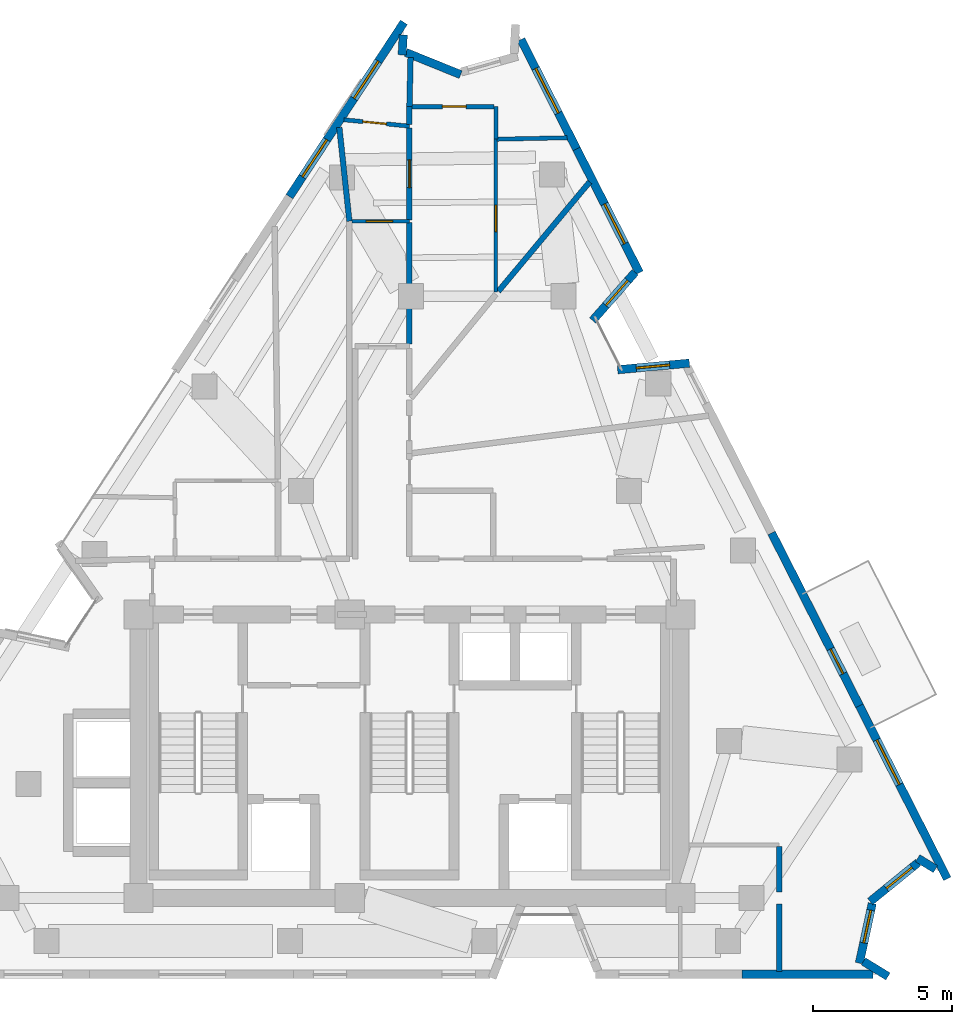
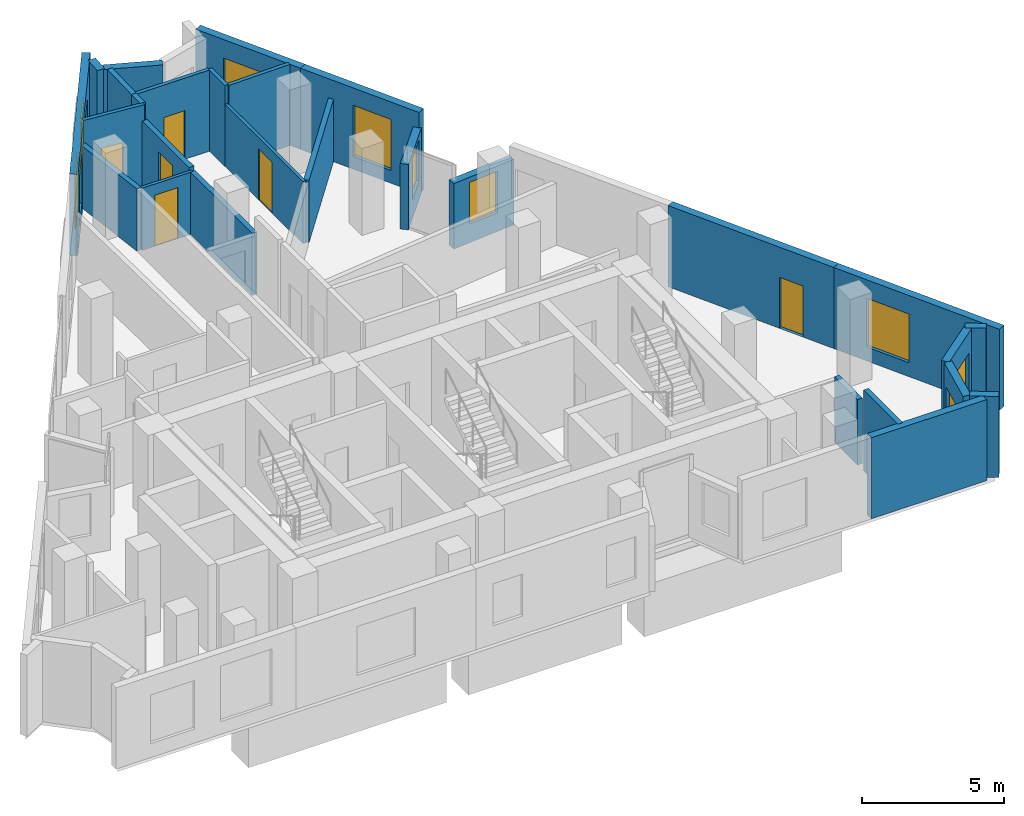
# One storey, part 7 of 10: 28 walls, 9 windows, 6 doors, 15 openings.
"""IFC4 building model written with IfcOpenShell, lengths in metres."""

import ifcopenshell
import ifcopenshell.guid

model = None  # the IFC model being written
_history = None  # IfcOwnerHistory: only IFC2X3 demands one
_inside = {}  # id of a spatial element -> (the spatial element, [elements in it])
_under = {}  # id of a project, library or spatial element -> (it, [spatial elements below it])
_declared = {}  # id of a project -> (the project, [libraries it declares])
_typed = {}  # id of a type object -> (the type object, [elements of that type])
_made_of = {}  # id of a material, layer set ... -> (it, [elements and type objects made of it])


def new_model(schema):
    """Start an empty IFC model of exactly this schema.

    Asked for "IFC4X3", IfcOpenShell would pick the latest addendum, in which some entities
    have other attributes; the version numbers below select the first issue.
    IFC2X3 requires an IfcOwnerHistory on every rooted entity: one is made here for all.
    """
    global model, _history
    if schema == "IFC4X3":
        model = ifcopenshell.file(schema_version=(4, 3, 0, 0))
    else:
        model = ifcopenshell.file(schema=schema)
    _inside.clear()
    _under.clear()
    _declared.clear()
    _typed.clear()
    _made_of.clear()
    _history = None
    if model.schema == "IFC2X3":
        org = make("IfcOrganization", Name="unknown")
        user = make(
            "IfcPersonAndOrganization",
            ThePerson=make("IfcPerson", FamilyName="unknown"),
            TheOrganization=org,
        )
        app = make(
            "IfcApplication",
            ApplicationDeveloper=org,
            Version="unknown",
            ApplicationFullName="unknown",
            ApplicationIdentifier="unknown",
        )
        _history = make(
            "IfcOwnerHistory",
            OwningUser=user,
            OwningApplication=app,
            ChangeAction="ADDED",
            CreationDate=0,
        )
    return model


def make(cls, **values):
    """One entity of the class cls with the attributes given. An attribute that is None is left unset."""
    return model.create_entity(
        cls, **{name: value for name, value in values.items() if value is not None}
    )


def rooted(cls, **values):
    """An entity with a GlobalId (a new one), such as an element, a storey or a relation."""
    return make(cls, GlobalId=ifcopenshell.guid.new(), OwnerHistory=_history, **values)


def si_unit(unit_type, name, prefix=None):
    """IfcSIUnit, for example si_unit("LENGTHUNIT", "METRE", prefix="MILLI")."""
    return make("IfcSIUnit", UnitType=unit_type, Prefix=prefix, Name=name)


def assignment(units):
    """IfcUnitAssignment: the units of a project."""
    return None if units is None else make("IfcUnitAssignment", Units=units)


def point(xyz):
    """IfcCartesianPoint."""
    return None if xyz is None else make("IfcCartesianPoint", Coordinates=xyz)


def direction(xyz):
    """IfcDirection."""
    return None if xyz is None else make("IfcDirection", DirectionRatios=xyz)


def frame(location, z_axis=None, x_axis=None):
    """IfcAxis2Placement3D, a coordinate frame: its origin and axes. An axis left out is left unset."""
    return make(
        "IfcAxis2Placement3D",
        Location=point(location),
        Axis=direction(z_axis),
        RefDirection=direction(x_axis),
    )


def frame_2d(location, x_axis=None):
    """IfcAxis2Placement2D, a coordinate frame in the plane: its origin and x axis."""
    return make(
        "IfcAxis2Placement2D", Location=point(location), RefDirection=direction(x_axis)
    )


def origin():
    """The frame at (0, 0, 0) with its axes left unset."""
    return frame((0.0, 0.0, 0.0))


def place(relative_to, where):
    """IfcLocalPlacement: puts the frame where relative to a parent placement (None: the world)."""
    return make(
        "IfcLocalPlacement", PlacementRelTo=relative_to, RelativePlacement=where
    )


def context(
    kind, dimensions, precision=None, world=None, true_north=None, identifier=None
):
    """IfcGeometricRepresentationContext, for example the 3D "Model" context."""
    return make(
        "IfcGeometricRepresentationContext",
        ContextIdentifier=identifier,
        ContextType=kind,
        CoordinateSpaceDimension=dimensions,
        Precision=precision,
        WorldCoordinateSystem=world,
        TrueNorth=true_north,
    )


def subcontext(parent, identifier, kind, view, scale=None):
    """IfcGeometricRepresentationSubContext, for example "Body" below "Model"."""
    return make(
        "IfcGeometricRepresentationSubContext",
        ContextIdentifier=identifier,
        ContextType=kind,
        ParentContext=parent,
        TargetScale=scale,
        TargetView=view,
    )


def project(units=None, contexts=None):
    """IfcProject with its units and contexts."""
    return rooted(
        "IfcProject",
        Name="project",
        RepresentationContexts=contexts,
        UnitsInContext=assignment(units),
    )


def spatial(cls, under=None, at=None, **own):
    """A site, building, storey or space (cls), placed at a placement, below another one or the project."""
    s = rooted(cls, ObjectPlacement=at, **own)
    if under is not None:
        _under.setdefault(under.id(), (under, []))[1].append(s)
    return s


def profile(cls, at=None, kind="AREA", **sizes):
    """A parametric profile (cls). Its sizes go by their IFC names, for example OverallWidth=200.0."""
    return make(cls, ProfileType=kind, Position=at, **sizes)


def rectangle(**sizes):
    """IfcRectangleProfileDef."""
    return profile("IfcRectangleProfileDef", **sizes)


def extrude(swept, where, along, depth):
    """IfcExtrudedAreaSolid: the profile swept, set in the frame where, extruded along a direction by depth."""
    return make(
        "IfcExtrudedAreaSolid",
        SweptArea=swept,
        Position=where,
        ExtrudedDirection=direction(along),
        Depth=depth,
    )


def shape(context_of_items, identifier, shape_type, items):
    """IfcShapeRepresentation: the items that make up one representation, for example the "Body"."""
    return make(
        "IfcShapeRepresentation",
        ContextOfItems=context_of_items,
        RepresentationIdentifier=identifier,
        RepresentationType=shape_type,
        Items=items,
    )


def material(Name=None, Category=None):
    """IfcMaterial."""
    return make("IfcMaterial", Name=Name, Category=Category)


def layer(
    of_material, thickness, ventilated=None, Name=None, Category=None, Priority=None
):
    """IfcMaterialLayer: one layer of a wall or slab, of a material (None: an air gap)."""
    return make(
        "IfcMaterialLayer",
        Material=of_material,
        LayerThickness=thickness,
        IsVentilated=ventilated,
        Name=Name,
        Category=Category,
        Priority=Priority,
    )


def layer_set(layers, Name=None):
    """IfcMaterialLayerSet."""
    return make("IfcMaterialLayerSet", MaterialLayers=layers, LayerSetName=Name)


def made_of(thing, what):
    """Note that an element or type object is made of a material, layer set ...; save() writes the relation."""
    if what is not None:
        _made_of.setdefault(what.id(), (what, []))[1].append(thing)
    return thing


def type_object(cls, material=None, **own):
    """A type object (cls), such as IfcWallType, which elements share."""
    return made_of(rooted(cls, **own), material)


def element(
    cls,
    number,
    at=None,
    inside=None,
    cuts=None,
    type_object=None,
    material=None,
    context=None,
    identifier="Body",
    shape_type=None,
    held_by="IfcProductDefinitionShape",
    body=None,
    shapes=None,
    **own,
):
    """One element of the class cls, such as IfcWall. Its Tag is "e" and its number.

    at: its placement. inside: the storey or other place that contains it. cuts: it is an
    opening in that element (IfcRelVoidsElement). A single representation is given by context,
    identifier, shape_type and body (its items); several are given by shapes. held_by: the class
    of the entity that holds the representations. save() writes the other relations.
    """
    e = rooted(cls, Tag="e%d" % number, ObjectPlacement=at, **own)
    if body is not None:
        shapes = [shape(context, identifier, shape_type, body)]
    if shapes is not None:
        e.Representation = make(held_by, Representations=shapes)
    if inside is not None:
        _inside.setdefault(inside.id(), (inside, []))[1].append(e)
    if cuts is not None:
        rooted(
            "IfcRelVoidsElement", RelatingBuildingElement=cuts, RelatedOpeningElement=e
        )
    if type_object is not None:
        _typed.setdefault(type_object.id(), (type_object, []))[1].append(e)
    return made_of(e, material)


def fill(opening, filler):
    """IfcRelFillsElement: the door or window that sits in an opening."""
    return rooted(
        "IfcRelFillsElement",
        RelatingOpeningElement=opening,
        RelatedBuildingElement=filler,
    )


def aggregate(whole, parts):
    """IfcRelAggregates: a whole, such as a stair, and the parts it consists of."""
    return rooted("IfcRelAggregates", RelatingObject=whole, RelatedObjects=parts)


def save(model, path):
    """Write the relations noted so far, then the file.

    IfcRelAggregates (storeys below a building ...), IfcRelContainedInSpatialStructure (elements
    in a storey), IfcRelDefinesByType, IfcRelAssociatesMaterial and IfcRelDeclares: one each for
    every whole, place, type object, material and project.
    """
    for whole, parts in _under.values():
        aggregate(whole, parts)
    for where, things in _inside.values():
        rooted(
            "IfcRelContainedInSpatialStructure",
            RelatedElements=things,
            RelatingStructure=where,
        )
    for kind, things in _typed.values():
        rooted("IfcRelDefinesByType", RelatedObjects=things, RelatingType=kind)
    for what, things in _made_of.values():
        rooted("IfcRelAssociatesMaterial", RelatedObjects=things, RelatingMaterial=what)
    for by, libraries in _declared.values():
        rooted("IfcRelDeclares", RelatingContext=by, RelatedDefinitions=libraries)
    model.write(path)


model = new_model("IFC4")

# Units and contexts
model_context = context("Model", 3, precision=1e-05, world=origin(), true_north=direction((0.0, 1.0)))
body_context = subcontext(model_context, "Body", "Model", "MODEL_VIEW")
ifc_project = project(units=[si_unit("LENGTHUNIT", "METRE"), si_unit("AREAUNIT", "SQUARE_METRE"), si_unit("VOLUMEUNIT", "CUBIC_METRE"), si_unit("PLANEANGLEUNIT", "RADIAN"), si_unit("MASSUNIT", "GRAM", prefix="KILO")], contexts=[model_context])

# Site, building, storey
site_placement = place(None, origin())
site = spatial("IfcSite", under=ifc_project, at=site_placement, CompositionType="ELEMENT")
building_placement = place(site_placement, origin())
building = spatial("IfcBuilding", under=site, at=building_placement, Name="Almagre Mirador Tower", CompositionType="ELEMENT")
storey_placement = place(building_placement, frame((0.0, 0.0, 229.5)))
storey = spatial("IfcBuildingStorey", under=building, at=storey_placement, Name="L59", CompositionType="ELEMENT", Elevation=229.5)

# Wall, openings, windows
ifc_material_1 = material(Name="Precast concrete C50/60", Category="concrete")
ifc_layer_1 = layer(ifc_material_1, 0.300048828125)
ifc_layer_set_1 = layer_set([ifc_layer_1], Name="Precast concrete C50/60")
wall_type_1 = type_object("IfcWallType", Name="WAL-EXT-300", PredefinedType="SOLIDWALL", material=ifc_layer_set_1)
wall_1_placement = place(storey_placement, frame((32.98388671875, 29.785400390625, 0.0), z_axis=(0.0, 0.0, 1.0), x_axis=(0.549071408683, 0.835775441232, 0.0)))
wall_1 = element("IfcWall", 1, at=wall_1_placement, inside=storey, type_object=wall_type_1, Name="L59 expressed almagre precast frame wall 04", PredefinedType="SOLIDWALL", context=body_context, shape_type="SweptSolid", body=[
    extrude(rectangle(XDim=7.50390625, YDim=0.300048828125, at=frame_2d((3.751953125, 0.0))), origin(), (0.0, 0.0, 1.0), 3.5),
])
opening_1_placement = place(wall_1_placement, frame((0.85009765625, 0.0, 0.550048828125)))
opening_1 = element("IfcOpeningElement", 2, at=opening_1_placement, cuts=wall_1, Name="Opening WN-06", PredefinedType="OPENING", context=body_context, shape_type="SweptSolid", body=[
    extrude(rectangle(XDim=1.60009765625, YDim=2.199951171875, at=frame_2d((0.800048828125, 1.10009765625))), frame((0.0, 0.159902, 0.0), z_axis=(0.0, -1.0, 0.0), x_axis=(1.0, 0.0, 0.0)), (0.0, 0.0, 1.0), 0.320049),
])
opening_2_placement = place(wall_1_placement, frame((4.22509765625, 0.0, 0.550048828125)))
opening_2 = element("IfcOpeningElement", 3, at=opening_2_placement, cuts=wall_1, Name="Opening WN-06", PredefinedType="OPENING", context=body_context, shape_type="SweptSolid", body=[
    extrude(rectangle(XDim=1.60009765625, YDim=2.199951171875, at=frame_2d((0.800048828125, 1.10009765625))), frame((0.0, 0.159902, 0.0), z_axis=(0.0, -1.0, 0.0), x_axis=(1.0, 0.0, 0.0)), (0.0, 0.0, 1.0), 0.320049),
])
ifc_material_2 = material(Name="Dark solar-control laminated hurricane glass", Category="glass")
window_type_1 = type_object("IfcWindowType", Name="WIN-1600X2200", PartitioningType="DOUBLE_PANEL_VERTICAL", PredefinedType="WINDOW", material=ifc_material_2)
window_1_placement = place(opening_1_placement, origin())
window_1 = element("IfcWindow", 4, at=window_1_placement, inside=storey, type_object=window_type_1, Name="L59 recessed hurricane window L59-RST-H", OverallHeight=2.199951171875, OverallWidth=1.60009765625, PartitioningType="SINGLE_PANEL", PredefinedType="WINDOW", context=body_context, shape_type="SweptSolid", body=[
    extrude(rectangle(XDim=1.60009765625, YDim=2.199951171875, at=frame_2d((0.800048828125, 1.10009765625))), frame((0.0, 0.030029296875, 0.0), z_axis=(0.0, -1.0, 0.0), x_axis=(1.0, 0.0, 0.0)), (0.0, 0.0, 1.0), 0.06005859375),
])
fill(opening_1, window_1)
window_2_placement = place(opening_2_placement, origin())
window_2 = element("IfcWindow", 5, at=window_2_placement, inside=storey, type_object=window_type_1, Name="L59 recessed hurricane window L59-UK-BT", OverallHeight=2.199951171875, OverallWidth=1.60009765625, PartitioningType="SINGLE_PANEL", PredefinedType="WINDOW", context=body_context, shape_type="SweptSolid", body=[
    extrude(rectangle(XDim=1.60009765625, YDim=2.199951171875, at=frame_2d((0.800048828125, 1.10009765625))), frame((0.0, 0.030029296875, 0.0), z_axis=(0.0, -1.0, 0.0), x_axis=(1.0, 0.0, 0.0)), (0.0, 0.0, 1.0), 0.06005859375),
])
fill(opening_2, window_2)

# Walls
wall_2_placement = place(storey_placement, frame((37.07861328125, 35.602783203125, 0.0), z_axis=(0.0, 0.0, 1.0), x_axis=(-0.05623931952, -0.998417317027, 0.0)))
element("IfcWall", 6, at=wall_2_placement, inside=storey, type_object=wall_type_1, Name="L59 expressed almagre precast frame wall 05", PredefinedType="SOLIDWALL", context=body_context, shape_type="SweptSolid", body=[
    extrude(rectangle(XDim=0.720703125, YDim=0.300048828125, at=frame_2d((0.3603515625, 0.0))), origin(), (0.0, 0.0, 1.0), 3.5),
])
wall_3_placement = place(storey_placement, frame((37.171142578125, 34.972412109375, 0.0), z_axis=(0.0, 0.0, 1.0), x_axis=(0.927076098221, -0.37487318937, 0.0)))
element("IfcWall", 7, at=wall_3_placement, inside=storey, type_object=wall_type_1, Name="L59 expressed almagre precast frame wall 06", PredefinedType="SOLIDWALL", context=body_context, shape_type="SweptSolid", body=[
    extrude(rectangle(XDim=2.125732421875, YDim=0.300048828125, at=frame_2d((1.06298828125, 0.0))), origin(), (0.0, 0.0, 1.0), 3.5),
])

# Wall, opening, window
wall_4_placement = place(storey_placement, frame((41.3134765625, 35.437255859375, 0.0), z_axis=(0.0, 0.0, 1.0), x_axis=(0.452845917372, -0.891588792617, 0.0)))
wall_4 = element("IfcWall", 8, at=wall_4_placement, inside=storey, type_object=wall_type_1, Name="L59 expressed almagre precast frame wall 09", PredefinedType="SOLIDWALL", context=body_context, shape_type="SweptSolid", body=[
    extrude(rectangle(XDim=4.414306640625, YDim=0.300048828125, at=frame_2d((2.20703125, 0.0))), origin(), (0.0, 0.0, 1.0), 3.5),
])
opening_3_placement = place(wall_4_placement, frame((1.1650390625, 0.0, 0.60009765625)))
opening_3 = element("IfcOpeningElement", 9, at=opening_3_placement, cuts=wall_4, Name="Opening WN-01", PredefinedType="OPENING", context=body_context, shape_type="SweptSolid", body=[
    extrude(rectangle(XDim=1.800048828125, YDim=2.10009765625, at=frame_2d((0.89990234375, 1.050048828125))), frame((0.0, 0.159902, 0.0), z_axis=(0.0, -1.0, 0.0), x_axis=(1.0, 0.0, 0.0)), (0.0, 0.0, 1.0), 0.320049),
])
ifc_material_3 = material(Name="Dark solar-control laminated hurricane glass", Category="glass")
window_type_2 = type_object("IfcWindowType", Name="WIN-1800X2100", PartitioningType="DOUBLE_PANEL_VERTICAL", PredefinedType="WINDOW", material=ifc_material_3)
window_3_placement = place(opening_3_placement, origin())
window_3 = element("IfcWindow", 10, at=window_3_placement, inside=storey, type_object=window_type_2, Name="L59 recessed hurricane window L59-UL-BT", OverallHeight=2.10009765625, OverallWidth=1.800048828125, PartitioningType="SINGLE_PANEL", PredefinedType="WINDOW", context=body_context, shape_type="SweptSolid", body=[
    extrude(rectangle(XDim=1.800048828125, YDim=2.10009765625, at=frame_2d((0.89990234375, 1.050048828125))), frame((0.0, 0.030029296875, 0.0), z_axis=(0.0, -1.0, 0.0), x_axis=(1.0, 0.0, 0.0)), (0.0, 0.0, 1.0), 0.06005859375),
])
fill(opening_3, window_3)

wall_5_placement = place(storey_placement, frame((43.3125, 31.50146484375, 0.0), z_axis=(0.0, 0.0, 1.0), x_axis=(0.452850052045, -0.891586692567, 0.0)))
wall_5 = element("IfcWall", 11, at=wall_5_placement, inside=storey, type_object=wall_type_1, Name="L59 expressed almagre precast frame wall 10", PredefinedType="SOLIDWALL", context=body_context, shape_type="SweptSolid", body=[
    extrude(rectangle(XDim=4.999267578125, YDim=0.300048828125, at=frame_2d((2.49951171875, 0.0))), origin(), (0.0, 0.0, 1.0), 3.5),
])
opening_4_placement = place(wall_5_placement, frame((2.22509765625, 0.0, 0.550048828125)))
opening_4 = element("IfcOpeningElement", 12, at=opening_4_placement, cuts=wall_5, Name="Opening WN-06", PredefinedType="OPENING", context=body_context, shape_type="SweptSolid", body=[
    extrude(rectangle(XDim=1.60009765625, YDim=2.199951171875, at=frame_2d((0.800048828125, 1.10009765625))), frame((0.0, 0.159902, 0.0), z_axis=(0.0, -1.0, 0.0), x_axis=(1.0, 0.0, 0.0)), (0.0, 0.0, 1.0), 0.320049),
])
window_4_placement = place(opening_4_placement, origin())
window_4 = element("IfcWindow", 13, at=window_4_placement, inside=storey, type_object=window_type_1, Name="L59 recessed hurricane window L59-RST-J", OverallHeight=2.199951171875, OverallWidth=1.60009765625, PartitioningType="SINGLE_PANEL", PredefinedType="WINDOW", context=body_context, shape_type="SweptSolid", body=[
    extrude(rectangle(XDim=1.60009765625, YDim=2.199951171875, at=frame_2d((0.800048828125, 1.10009765625))), frame((0.0, 0.030029296875, 0.0), z_axis=(0.0, -1.0, 0.0), x_axis=(1.0, 0.0, 0.0)), (0.0, 0.0, 1.0), 0.06005859375),
])
fill(opening_4, window_4)

wall_6_placement = place(storey_placement, frame((45.42041015625, 27.06396484375, 0.0), z_axis=(0.0, 0.0, 1.0), x_axis=(-0.660884804006, -0.750487358877, 0.0)))
wall_6 = element("IfcWall", 14, at=wall_6_placement, inside=storey, type_object=wall_type_1, Name="L59 expressed almagre precast frame wall 11", PredefinedType="SOLIDWALL", context=body_context, shape_type="SweptSolid", body=[
    extrude(rectangle(XDim=2.313232421875, YDim=0.300048828125, at=frame_2d((1.15673828125, 0.0))), origin(), (0.0, 0.0, 1.0), 2.824951171875),
])
opening_5_placement = place(wall_6_placement, frame((0.39501953125, 0.0, 0.800048828125)))
opening_5 = element("IfcOpeningElement", 15, at=opening_5_placement, cuts=wall_6, Name="Opening WN-04", PredefinedType="OPENING", context=body_context, shape_type="SweptSolid", body=[
    extrude(rectangle(XDim=1.199951171875, YDim=1.800048828125, at=frame_2d((0.60009765625, 0.89990234375))), frame((0.0, 0.159902, 0.0), z_axis=(0.0, -1.0, 0.0), x_axis=(1.0, 0.0, 0.0)), (0.0, 0.0, 1.0), 0.320049),
])
ifc_material_4 = material(Name="Dark solar-control laminated hurricane glass", Category="glass")
window_type_3 = type_object("IfcWindowType", Name="WIN-1200X1800", PartitioningType="SINGLE_PANEL", PredefinedType="WINDOW", material=ifc_material_4)
window_5_placement = place(opening_5_placement, origin())
window_5 = element("IfcWindow", 16, at=window_5_placement, inside=storey, type_object=window_type_3, Name="L59 recessed hurricane window L59-RST-J", OverallHeight=1.800048828125, OverallWidth=1.199951171875, PartitioningType="SINGLE_PANEL", PredefinedType="WINDOW", context=body_context, shape_type="SweptSolid", body=[
    extrude(rectangle(XDim=1.199951171875, YDim=1.800048828125, at=frame_2d((0.60009765625, 0.89990234375))), frame((0.0, 0.030029296875, 0.0), z_axis=(0.0, -1.0, 0.0), x_axis=(1.0, 0.0, 0.0)), (0.0, 0.0, 1.0), 0.06005859375),
])
fill(opening_5, window_5)

wall_7_placement = place(storey_placement, frame((44.79052734375, 23.55615234375, 0.0), z_axis=(0.0, 0.0, 1.0), x_axis=(0.995796977709, 0.091588095218, 0.0)))
wall_7 = element("IfcWall", 17, at=wall_7_placement, inside=storey, type_object=wall_type_1, Name="L59 expressed almagre precast frame wall 12", PredefinedType="SOLIDWALL", context=body_context, shape_type="SweptSolid", body=[
    extrude(rectangle(XDim=2.59375, YDim=0.300048828125, at=frame_2d((1.296875, 0.0))), origin(), (0.0, 0.0, 1.0), 2.824951171875),
])
opening_6_placement = place(wall_7_placement, frame((0.675048828125, 0.0, 0.800048828125)))
opening_6 = element("IfcOpeningElement", 18, at=opening_6_placement, cuts=wall_7, Name="Opening WN-04", PredefinedType="OPENING", context=body_context, shape_type="SweptSolid", body=[
    extrude(rectangle(XDim=1.199951171875, YDim=1.800048828125, at=frame_2d((0.60009765625, 0.89990234375))), frame((0.0, 0.159902, 0.0), z_axis=(0.0, -1.0, 0.0), x_axis=(1.0, 0.0, 0.0)), (0.0, 0.0, 1.0), 0.320049),
])
window_6_placement = place(opening_6_placement, origin())
window_6 = element("IfcWindow", 19, at=window_6_placement, inside=storey, type_object=window_type_3, Name="L59 recessed hurricane window L59-RST-J", OverallHeight=1.800048828125, OverallWidth=1.199951171875, PartitioningType="SINGLE_PANEL", PredefinedType="WINDOW", context=body_context, shape_type="SweptSolid", body=[
    extrude(rectangle(XDim=1.199951171875, YDim=1.800048828125, at=frame_2d((0.60009765625, 0.89990234375))), frame((0.0, 0.030029296875, 0.0), z_axis=(0.0, -1.0, 0.0), x_axis=(1.0, 0.0, 0.0)), (0.0, 0.0, 1.0), 0.06005859375),
])
fill(opening_6, window_6)

# Wall, opening, door
wall_8_placement = place(storey_placement, frame((50.330810546875, 17.684326171875, 0.0), z_axis=(0.0, 0.0, 1.0), x_axis=(0.452886204096, -0.891568329484, 0.0)))
wall_8 = element("IfcWall", 20, at=wall_8_placement, inside=storey, type_object=wall_type_1, Name="L59 expressed almagre precast frame wall 14", PredefinedType="SOLIDWALL", context=body_context, shape_type="SweptSolid", body=[
    extrude(rectangle(XDim=6.978271484375, YDim=0.300048828125, at=frame_2d((3.4892578125, 0.0))), origin(), (0.0, 0.0, 1.0), 3.5),
])
opening_7_placement = place(wall_8_placement, frame((4.681396484375, 0.0, 0.0)))
opening_7 = element("IfcOpeningElement", 21, at=opening_7_placement, cuts=wall_8, Name="Opening BD-01", PredefinedType="OPENING", context=body_context, shape_type="SweptSolid", body=[
    extrude(rectangle(XDim=1.0, YDim=2.199951171875, at=frame_2d((0.5, 1.10009765625))), frame((0.0, 0.159902, 0.0), z_axis=(0.0, -1.0, 0.0), x_axis=(1.0, 0.0, 0.0)), (0.0, 0.0, 1.0), 0.320049),
])
ifc_material_5 = material(Name="Black anodized aluminium and laminated glass", Category="aluminium")
door_type_1 = type_object("IfcDoorType", Name="DOR-BAL-1000X2200", OperationType="NOTDEFINED", PredefinedType="DOOR", material=ifc_material_5)
door_1_placement = place(opening_7_placement, origin())
door_1 = element("IfcDoor", 22, at=door_1_placement, inside=storey, type_object=door_type_1, Name="DR-1804 L59 east balcony glazed door 1", OperationType="SINGLE_SWING_RIGHT", OverallHeight=2.199951171875, OverallWidth=1.0, PredefinedType="DOOR", context=body_context, shape_type="SweptSolid", body=[
    extrude(rectangle(XDim=1.0, YDim=2.199951171875, at=frame_2d((0.5, 1.10009765625))), frame((0.0, 0.02490234375, 0.0), z_axis=(0.0, -1.0, 0.0), x_axis=(1.0, 0.0, 0.0)), (0.0, 0.0, 1.0), 0.050048828125),
])
fill(opening_7, door_1)

# Wall, opening, window
wall_9_placement = place(storey_placement, frame((53.4912109375, 11.462646484375, 0.0), z_axis=(0.0, 0.0, 1.0), x_axis=(0.452872520075, -0.891575280367, 0.0)))
wall_9 = element("IfcWall", 23, at=wall_9_placement, inside=storey, type_object=wall_type_1, Name="L59 expressed almagre precast frame wall 15", PredefinedType="SOLIDWALL", context=body_context, shape_type="SweptSolid", body=[
    extrude(rectangle(XDim=6.97802734375, YDim=0.300048828125, at=frame_2d((3.489013671875, 0.0))), origin(), (0.0, 0.0, 1.0), 3.5),
])
opening_8_placement = place(wall_9_placement, frame((1.375, 0.0, 0.60009765625)))
opening_8 = element("IfcOpeningElement", 24, at=opening_8_placement, cuts=wall_9, Name="Opening WN-01", PredefinedType="OPENING", context=body_context, shape_type="SweptSolid", body=[
    extrude(rectangle(XDim=1.800048828125, YDim=2.10009765625, at=frame_2d((0.89990234375, 1.050048828125))), frame((0.0, 0.159902, 0.0), z_axis=(0.0, -1.0, 0.0), x_axis=(1.0, 0.0, 0.0)), (0.0, 0.0, 1.0), 0.320049),
])
window_7_placement = place(opening_8_placement, origin())
window_7 = element("IfcWindow", 25, at=window_7_placement, inside=storey, type_object=window_type_2, Name="L59 recessed hurricane window L59-UD-ST", OverallHeight=2.10009765625, OverallWidth=1.800048828125, PartitioningType="SINGLE_PANEL", PredefinedType="WINDOW", context=body_context, shape_type="SweptSolid", body=[
    extrude(rectangle(XDim=1.800048828125, YDim=2.10009765625, at=frame_2d((0.89990234375, 1.050048828125))), frame((0.0, 0.030029296875, 0.0), z_axis=(0.0, -1.0, 0.0), x_axis=(1.0, 0.0, 0.0)), (0.0, 0.0, 1.0), 0.06005859375),
])
fill(opening_8, window_7)

# Wall
wall_10_placement = place(storey_placement, frame((56.225830078125, 5.58837890625, 0.0), z_axis=(0.0, 0.0, 1.0), x_axis=(-0.851959856167, 0.523607107935, 0.0)))
element("IfcWall", 26, at=wall_10_placement, inside=storey, type_object=wall_type_1, Name="L59 expressed almagre precast frame wall 16", PredefinedType="SOLIDWALL", context=body_context, shape_type="SweptSolid", body=[
    extrude(rectangle(XDim=0.750244140625, YDim=0.300048828125, at=frame_2d((0.375, 0.0))), origin(), (0.0, 0.0, 1.0), 3.5),
])

# Wall, opening, window
wall_11_placement = place(storey_placement, frame((55.601318359375, 5.82275390625, 0.0), z_axis=(0.0, 0.0, 1.0), x_axis=(-0.775969517168, -0.630770408648, 0.0)))
wall_11 = element("IfcWall", 27, at=wall_11_placement, inside=storey, type_object=wall_type_1, Name="L59 expressed almagre precast frame wall 17", PredefinedType="SOLIDWALL", context=body_context, shape_type="SweptSolid", body=[
    extrude(rectangle(XDim=2.222900390625, YDim=0.300048828125, at=frame_2d((1.111328125, 0.0))), origin(), (0.0, 0.0, 1.0), 3.5),
])
opening_9_placement = place(wall_11_placement, frame((0.27490234375, 0.0, 0.800048828125)))
opening_9 = element("IfcOpeningElement", 28, at=opening_9_placement, cuts=wall_11, Name="Opening WN-04", PredefinedType="OPENING", context=body_context, shape_type="SweptSolid", body=[
    extrude(rectangle(XDim=1.199951171875, YDim=1.800048828125, at=frame_2d((0.60009765625, 0.89990234375))), frame((0.0, 0.159902, 0.0), z_axis=(0.0, -1.0, 0.0), x_axis=(1.0, 0.0, 0.0)), (0.0, 0.0, 1.0), 0.320049),
])
window_8_placement = place(opening_9_placement, origin())
window_8 = element("IfcWindow", 29, at=window_8_placement, inside=storey, type_object=window_type_3, Name="L59 recessed hurricane window L59-UD-BT", OverallHeight=1.800048828125, OverallWidth=1.199951171875, PartitioningType="SINGLE_PANEL", PredefinedType="WINDOW", context=body_context, shape_type="SweptSolid", body=[
    extrude(rectangle(XDim=1.199951171875, YDim=1.800048828125, at=frame_2d((0.60009765625, 0.89990234375))), frame((0.0, 0.030029296875, 0.0), z_axis=(0.0, -1.0, 0.0), x_axis=(1.0, 0.0, 0.0)), (0.0, 0.0, 1.0), 0.06005859375),
])
fill(opening_9, window_8)

wall_12_placement = place(storey_placement, frame((53.951416015625, 4.3525390625, 0.0), z_axis=(0.0, 0.0, 1.0), x_axis=(-0.210621406129, -0.977567707773, 0.0)))
wall_12 = element("IfcWall", 30, at=wall_12_placement, inside=storey, type_object=wall_type_1, Name="L59 expressed almagre precast frame wall 18", PredefinedType="SOLIDWALL", context=body_context, shape_type="SweptSolid", body=[
    extrude(rectangle(XDim=2.19775390625, YDim=0.300048828125, at=frame_2d((1.098876953125, 0.0))), origin(), (0.0, 0.0, 1.0), 3.5),
])
opening_10_placement = place(wall_12_placement, frame((0.25, 0.0, 0.800048828125)))
opening_10 = element("IfcOpeningElement", 31, at=opening_10_placement, cuts=wall_12, Name="Opening WN-04", PredefinedType="OPENING", context=body_context, shape_type="SweptSolid", body=[
    extrude(rectangle(XDim=1.199951171875, YDim=1.800048828125, at=frame_2d((0.60009765625, 0.89990234375))), frame((0.0, 0.159902, 0.0), z_axis=(0.0, -1.0, 0.0), x_axis=(1.0, 0.0, 0.0)), (0.0, 0.0, 1.0), 0.320049),
])
window_9_placement = place(opening_10_placement, origin())
window_9 = element("IfcWindow", 32, at=window_9_placement, inside=storey, type_object=window_type_3, Name="L59 recessed hurricane window L59-UD-KT", OverallHeight=1.800048828125, OverallWidth=1.199951171875, PartitioningType="SINGLE_PANEL", PredefinedType="WINDOW", context=body_context, shape_type="SweptSolid", body=[
    extrude(rectangle(XDim=1.199951171875, YDim=1.800048828125, at=frame_2d((0.60009765625, 0.89990234375))), frame((0.0, 0.030029296875, 0.0), z_axis=(0.0, -1.0, 0.0), x_axis=(1.0, 0.0, 0.0)), (0.0, 0.0, 1.0), 0.06005859375),
])
fill(opening_10, window_9)

# Walls
wall_13_placement = place(storey_placement, frame((53.633056640625, 2.2705078125, 0.0), z_axis=(0.0, 0.0, 1.0), x_axis=(0.852375061926, -0.522930926421, 0.0)))
element("IfcWall", 33, at=wall_13_placement, inside=storey, type_object=wall_type_1, Name="L59 expressed almagre precast frame wall 19", PredefinedType="SOLIDWALL", context=body_context, shape_type="SweptSolid", body=[
    extrude(rectangle(XDim=1.039794921875, YDim=0.300048828125, at=frame_2d((0.52001953125, 0.0))), origin(), (0.0, 0.0, 1.0), 3.5),
])
wall_14_placement = place(storey_placement, frame((53.97509765625, 1.800048828125, 0.0), z_axis=(0.0, 0.0, 1.0), x_axis=(-1.0, 0.0, 0.0)))
element("IfcWall", 34, at=wall_14_placement, inside=storey, type_object=wall_type_1, Name="L59 expressed almagre precast frame wall 20", PredefinedType="SOLIDWALL", context=body_context, shape_type="SweptSolid", body=[
    extrude(rectangle(XDim=4.711181640625, YDim=0.300048828125, at=frame_2d((2.35546875, 0.0))), origin(), (0.0, 0.0, 1.0), 3.5),
])

# Wall, opening, door
ifc_material_6 = material(Name="Gypsum acoustic stud partition", Category="other")
ifc_layer_2 = layer(ifc_material_6, 0.125)
ifc_layer_set_2 = layer_set([ifc_layer_2], Name="Gypsum acoustic stud partition")
wall_type_2 = type_object("IfcWallType", Name="WAL-PRT-125-UTL", PredefinedType="PARTITIONING", material=ifc_layer_set_2)
wall_15_placement = place(storey_placement, frame((37.300048828125, 28.89990234375, 0.0), z_axis=(0.0, 0.0, 1.0), x_axis=(-1.0, 0.0, 0.0)))
wall_15 = element("IfcWall", 35, at=wall_15_placement, inside=storey, type_object=wall_type_2, Name="L59 interior partition 047", PredefinedType="PARTITIONING", context=body_context, shape_type="SweptSolid", body=[
    extrude(rectangle(XDim=2.074951171875, YDim=0.125, at=frame_2d((1.03759765625, 0.0))), origin(), (0.0, 0.0, 1.0), 2.68505859375),
])
opening_11_placement = place(wall_15_placement, frame((0.60498046875, 0.0, 0.0)))
opening_11 = element("IfcOpeningElement", 36, at=opening_11_placement, cuts=wall_15, Name="Opening UD-01", PredefinedType="OPENING", context=body_context, shape_type="SweptSolid", body=[
    extrude(rectangle(XDim=0.949951171875, YDim=2.199951171875, at=frame_2d((0.47509765625, 1.10009765625))), frame((0.0, 0.0725, 0.0), z_axis=(0.0, -1.0, 0.0), x_axis=(1.0, 0.0, 0.0)), (0.0, 0.0, 1.0), 0.145),
])
ifc_material_7 = material(Name="Solid American walnut timber", Category="wood")
door_type_2 = type_object("IfcDoorType", Name="DOR-UNR-950X2200", OperationType="NOTDEFINED", PredefinedType="DOOR", material=ifc_material_7)
door_2_placement = place(opening_11_placement, origin())
door_2 = element("IfcDoor", 37, at=door_2_placement, inside=storey, type_object=door_type_2, Name="DR-1821 L59 interior door L59-UK-ST to L59-UK-KT", OperationType="SINGLE_SWING_LEFT", OverallHeight=2.199951171875, OverallWidth=0.949951171875, PredefinedType="DOOR", context=body_context, shape_type="SweptSolid", body=[
    extrude(rectangle(XDim=0.949951171875, YDim=2.199951171875, at=frame_2d((0.47509765625, 1.10009765625))), frame((0.0, 0.02490234375, 0.0), z_axis=(0.0, -1.0, 0.0), x_axis=(1.0, 0.0, 0.0)), (0.0, 0.0, 1.0), 0.050048828125),
])
fill(opening_11, door_2)

wall_16_placement = place(storey_placement, frame((40.409912109375, 26.35498046875, 0.0), z_axis=(0.0, 0.0, 1.0), x_axis=(0.0, 1.0, 0.0)))
wall_16 = element("IfcWall", 38, at=wall_16_placement, inside=storey, type_object=wall_type_2, Name="L59 interior partition 053", PredefinedType="PARTITIONING", context=body_context, shape_type="SweptSolid", body=[
    extrude(rectangle(XDim=5.4951171875, YDim=0.125, at=frame_2d((2.74755859375, 0.0))), origin(), (0.0, 0.0, 1.0), 2.68505859375),
])
opening_12_placement = place(wall_16_placement, frame((2.171142578125, 0.0, 0.0)))
opening_12 = element("IfcOpeningElement", 39, at=opening_12_placement, cuts=wall_16, Name="Opening UD-01", PredefinedType="OPENING", context=body_context, shape_type="SweptSolid", body=[
    extrude(rectangle(XDim=0.949951171875, YDim=2.199951171875, at=frame_2d((0.47509765625, 1.10009765625))), frame((0.0, 0.0725, 0.0), z_axis=(0.0, -1.0, 0.0), x_axis=(1.0, 0.0, 0.0)), (0.0, 0.0, 1.0), 0.145),
])
door_3_placement = place(opening_12_placement, origin())
door_3 = element("IfcDoor", 40, at=door_3_placement, inside=storey, type_object=door_type_2, Name="DR-1823 L59 interior door L59-UL-ST to L59-UL-KT", OperationType="SINGLE_SWING_LEFT", OverallHeight=2.199951171875, OverallWidth=0.949951171875, PredefinedType="DOOR", context=body_context, shape_type="SweptSolid", body=[
    extrude(rectangle(XDim=0.949951171875, YDim=2.199951171875, at=frame_2d((0.47509765625, 1.10009765625))), frame((0.0, 0.02490234375, 0.0), z_axis=(0.0, -1.0, 0.0), x_axis=(1.0, 0.0, 0.0)), (0.0, 0.0, 1.0), 0.050048828125),
])
fill(opening_12, door_3)

ifc_material_8 = material(Name="Gypsum acoustic stud partition", Category="other")
ifc_layer_3 = layer(ifc_material_8, 0.14990234375)
ifc_layer_set_3 = layer_set([ifc_layer_3], Name="Gypsum acoustic stud partition")
wall_type_3 = type_object("IfcWallType", Name="WAL-PRT-150-STD", PredefinedType="PARTITIONING", material=ifc_layer_set_3)
wall_17_placement = place(storey_placement, frame((37.300048828125, 32.320068359375, 0.0), z_axis=(0.0, 0.0, 1.0), x_axis=(-0.995321617962, 0.096617166268, 0.0)))
wall_17 = element("IfcWall", 41, at=wall_17_placement, inside=storey, type_object=wall_type_3, Name="L59 interior partition 049", PredefinedType="PARTITIONING", context=body_context, shape_type="SweptSolid", body=[
    extrude(rectangle(XDim=2.3701171875, YDim=0.14990234375, at=frame_2d((1.18505859375, 0.0))), origin(), (0.0, 0.0, 1.0), 3.5),
])
opening_13_placement = place(wall_17_placement, frame((0.83154296875, 0.0, 0.0)))
opening_13 = element("IfcOpeningElement", 42, at=opening_13_placement, cuts=wall_17, Name="Opening UD-04", PredefinedType="OPENING", context=body_context, shape_type="SweptSolid", body=[
    extrude(rectangle(XDim=0.85009765625, YDim=2.10009765625, at=frame_2d((0.425048828125, 1.050048828125))), frame((0.0, 0.084951, 0.0), z_axis=(0.0, -1.0, 0.0), x_axis=(1.0, 0.0, 0.0)), (0.0, 0.0, 1.0), 0.169902),
])
ifc_material_9 = material(Name="Moisture-resistant oak timber", Category="wood")
door_type_3 = type_object("IfcDoorType", Name="DOR-UNR-850X2100", OperationType="NOTDEFINED", PredefinedType="DOOR", material=ifc_material_9)
door_4_placement = place(opening_13_placement, origin())
door_4 = element("IfcDoor", 43, at=door_4_placement, inside=storey, type_object=door_type_3, Name="DR-1822 L59 interior door L59-UK-KT to L59-UK-BT", OperationType="SINGLE_SWING_RIGHT", OverallHeight=2.10009765625, OverallWidth=0.85009765625, PredefinedType="DOOR", context=body_context, shape_type="SweptSolid", body=[
    extrude(rectangle(XDim=0.85009765625, YDim=2.10009765625, at=frame_2d((0.425048828125, 1.050048828125))), frame((0.0, 0.02490234375, 0.0), z_axis=(0.0, -1.0, 0.0), x_axis=(1.0, 0.0, 0.0)), (0.0, 0.0, 1.0), 0.050048828125),
])
fill(opening_13, door_4)

# Wall
wall_18_placement = place(storey_placement, frame((40.409912109375, 31.85009765625, 0.0), z_axis=(0.0, 0.0, 1.0), x_axis=(0.0, 1.0, 0.0)))
element("IfcWall", 44, at=wall_18_placement, inside=storey, type_object=wall_type_3, Name="L59 interior partition 054", PredefinedType="PARTITIONING", context=body_context, shape_type="SweptSolid", body=[
    extrude(rectangle(XDim=1.169921875, YDim=0.14990234375, at=frame_2d((0.5849609375, 0.0))), origin(), (0.0, 0.0, 1.0), 3.5),
])

# Wall, opening, door
wall_19_placement = place(storey_placement, frame((40.35009765625, 33.02001953125, 0.0), z_axis=(0.0, 0.0, 1.0), x_axis=(-1.0, 0.0, 0.0)))
wall_19 = element("IfcWall", 45, at=wall_19_placement, inside=storey, type_object=wall_type_3, Name="L59 interior partition 055", PredefinedType="PARTITIONING", context=body_context, shape_type="SweptSolid", body=[
    extrude(rectangle(XDim=2.965087890625, YDim=0.14990234375, at=frame_2d((1.482421875, 0.0))), origin(), (0.0, 0.0, 1.0), 3.5),
])
opening_14_placement = place(wall_19_placement, frame((1.01171875, 0.0, 0.0)))
opening_14 = element("IfcOpeningElement", 46, at=opening_14_placement, cuts=wall_19, Name="Opening UD-04", PredefinedType="OPENING", context=body_context, shape_type="SweptSolid", body=[
    extrude(rectangle(XDim=0.85009765625, YDim=2.10009765625, at=frame_2d((0.425048828125, 1.050048828125))), frame((0.0, 0.084951, 0.0), z_axis=(0.0, -1.0, 0.0), x_axis=(1.0, 0.0, 0.0)), (0.0, 0.0, 1.0), 0.169902),
])
door_5_placement = place(opening_14_placement, origin())
door_5 = element("IfcDoor", 47, at=door_5_placement, inside=storey, type_object=door_type_3, Name="DR-1824 L59 interior door L59-UL-ST to L59-UL-BT", OperationType="SINGLE_SWING_RIGHT", OverallHeight=2.10009765625, OverallWidth=0.85009765625, PredefinedType="DOOR", context=body_context, shape_type="SweptSolid", body=[
    extrude(rectangle(XDim=0.85009765625, YDim=2.10009765625, at=frame_2d((0.425048828125, 1.050048828125))), frame((0.0, 0.02490234375, 0.0), z_axis=(0.0, -1.0, 0.0), x_axis=(1.0, 0.0, 0.0)), (0.0, 0.0, 1.0), 0.050048828125),
])
fill(opening_14, door_5)

# Walls
wall_20_placement = place(storey_placement, frame((42.97705078125, 31.902099609375, 0.0), z_axis=(0.0, 0.0, 1.0), x_axis=(-0.999791051438, -0.020441464327, 0.0)))
element("IfcWall", 48, at=wall_20_placement, inside=storey, type_object=wall_type_3, Name="L59 interior partition 056", PredefinedType="PARTITIONING", context=body_context, shape_type="SweptSolid", body=[
    extrude(rectangle(XDim=2.52001953125, YDim=0.14990234375, at=frame_2d((1.260009765625, 0.0))), origin(), (0.0, 0.0, 1.0), 3.5),
])
ifc_material_10 = material(Name="Gypsum acoustic stud partition", Category="other")
ifc_layer_4 = layer(ifc_material_10, 0.199951171875)
ifc_layer_set_4 = layer_set([ifc_layer_4], Name="Gypsum acoustic stud partition")
wall_type_4 = type_object("IfcWallType", Name="WAL-PRT-200-EI60", PredefinedType="PARTITIONING", material=ifc_layer_set_4)
wall_21_placement = place(storey_placement, frame((50.60009765625, 1.89990234375, 0.0), z_axis=(0.0, 0.0, 1.0), x_axis=(0.0, 1.0, 0.0)))
element("IfcWall", 49, at=wall_21_placement, inside=storey, type_object=wall_type_4, Name="L59 interior partition 024", PredefinedType="PARTITIONING", context=body_context, shape_type="SweptSolid", body=[
    extrude(rectangle(XDim=2.43017578125, YDim=0.199951171875, at=frame_2d((1.215087890625, 0.0))), origin(), (0.0, 0.0, 1.0), 3.5),
])
wall_22_placement = place(storey_placement, frame((50.60009765625, 4.77001953125, 0.0), z_axis=(0.0, 0.0, 1.0), x_axis=(0.0, 1.0, 0.0)))
element("IfcWall", 50, at=wall_22_placement, inside=storey, type_object=wall_type_4, Name="L59 interior partition 025", PredefinedType="PARTITIONING", context=body_context, shape_type="SweptSolid", body=[
    extrude(rectangle(XDim=1.6298828125, YDim=0.199951171875, at=frame_2d((0.81494140625, 0.0))), origin(), (0.0, 0.0, 1.0), 2.820068359375),
])
wall_23_placement = place(storey_placement, frame((35.139892578125, 28.89990234375, 0.0), z_axis=(0.0, 0.0, 1.0), x_axis=(-0.106909076614, 0.99426880135, 0.0)))
element("IfcWall", 51, at=wall_23_placement, inside=storey, type_object=wall_type_4, Name="L59 interior partition 044", PredefinedType="PARTITIONING", context=body_context, shape_type="SweptSolid", body=[
    extrude(rectangle(XDim=3.3935546875, YDim=0.199951171875, at=frame_2d((1.69677734375, 0.0))), origin(), (0.0, 0.0, 1.0), 2.68505859375),
])
wall_24_placement = place(storey_placement, frame((43.783935546875, 30.31298828125, 0.0), z_axis=(0.0, 0.0, 1.0), x_axis=(-0.640760459151, -0.767740863826, 0.0)))
element("IfcWall", 52, at=wall_24_placement, inside=storey, type_object=wall_type_4, Name="L59 interior partition 046", PredefinedType="PARTITIONING", context=body_context, shape_type="SweptSolid", body=[
    extrude(rectangle(XDim=5.125732421875, YDim=0.199951171875, at=frame_2d((2.56298828125, 0.0))), origin(), (0.0, 0.0, 1.0), 2.68505859375),
])
wall_25_placement = place(storey_placement, frame((37.300048828125, 24.485107421875, 0.0), z_axis=(0.0, 0.0, 1.0), x_axis=(0.0, 1.0, 0.0)))
element("IfcWall", 53, at=wall_25_placement, inside=storey, type_object=wall_type_4, Name="L59 interior partition 048", PredefinedType="PARTITIONING", context=body_context, shape_type="SweptSolid", body=[
    extrude(rectangle(XDim=4.367431640625, YDim=0.199951171875, at=frame_2d((2.18359375, 0.0))), origin(), (0.0, 0.0, 1.0), 2.68505859375),
])

# Wall, opening, door
wall_26_placement = place(storey_placement, frame((37.300048828125, 28.947509765625, 0.0), z_axis=(0.0, 0.0, 1.0), x_axis=(0.0, 1.0, 0.0)))
wall_26 = element("IfcWall", 54, at=wall_26_placement, inside=storey, type_object=wall_type_4, Name="L59 interior partition 050", PredefinedType="PARTITIONING", context=body_context, shape_type="SweptSolid", body=[
    extrude(rectangle(XDim=3.3125, YDim=0.199951171875, at=frame_2d((1.65625, 0.0))), origin(), (0.0, 0.0, 1.0), 2.820068359375),
])
opening_15_placement = place(wall_26_placement, frame((1.16259765625, 0.0, 0.0)))
opening_15 = element("IfcOpeningElement", 55, at=opening_15_placement, cuts=wall_26, Name="Opening ID-01", PredefinedType="OPENING", context=body_context, shape_type="SweptSolid", body=[
    extrude(rectangle(XDim=1.0, YDim=2.199951171875, at=frame_2d((0.5, 1.10009765625))), frame((0.0, 0.110098, 0.0), z_axis=(0.0, -1.0, 0.0), x_axis=(1.0, 0.0, 0.0)), (0.0, 0.0, 1.0), 0.219951),
])
ifc_material_11 = material(Name="Fire-rated walnut timber", Category="wood")
door_type_4 = type_object("IfcDoorType", Name="DOR-FD60-1000X2200", OperationType="NOTDEFINED", PredefinedType="DOOR", material=ifc_material_11)
door_6_placement = place(opening_15_placement, origin())
door_6 = element("IfcDoor", 56, at=door_6_placement, inside=storey, type_object=door_type_4, Name="DR-1825 L59 interior door L59-UK-KT to L59-UL-ST", OperationType="SINGLE_SWING_LEFT", OverallHeight=2.199951171875, OverallWidth=1.0, PredefinedType="DOOR", context=body_context, shape_type="SweptSolid", body=[
    extrude(rectangle(XDim=1.0, YDim=2.199951171875, at=frame_2d((0.5, 1.10009765625))), frame((0.0, 0.02490234375, 0.0), z_axis=(0.0, -1.0, 0.0), x_axis=(1.0, 0.0, 0.0)), (0.0, 0.0, 1.0), 0.050048828125),
])
fill(opening_15, door_6)

# Walls
wall_27_placement = place(storey_placement, frame((37.300048828125, 32.3798828125, 0.0), z_axis=(0.0, 0.0, 1.0), x_axis=(0.0, 1.0, 0.0)))
element("IfcWall", 57, at=wall_27_placement, inside=storey, type_object=wall_type_4, Name="L59 interior partition 051", PredefinedType="PARTITIONING", context=body_context, shape_type="SweptSolid", body=[
    extrude(rectangle(XDim=0.64013671875, YDim=0.199951171875, at=frame_2d((0.320068359375, 0.0))), origin(), (0.0, 0.0, 1.0), 3.5),
])
wall_28_placement = place(storey_placement, frame((37.300048828125, 33.02001953125, 0.0), z_axis=(0.0, 0.0, 1.0), x_axis=(0.022614904422, 0.999744250345, 0.0)))
element("IfcWall", 58, at=wall_28_placement, inside=storey, type_object=wall_type_4, Name="L59 interior partition 052", PredefinedType="PARTITIONING", context=body_context, shape_type="SweptSolid", body=[
    extrude(rectangle(XDim=1.7705078125, YDim=0.199951171875, at=frame_2d((0.88525390625, 0.0))), origin(), (0.0, 0.0, 1.0), 3.5),
])

save(model, "model.ifc")
